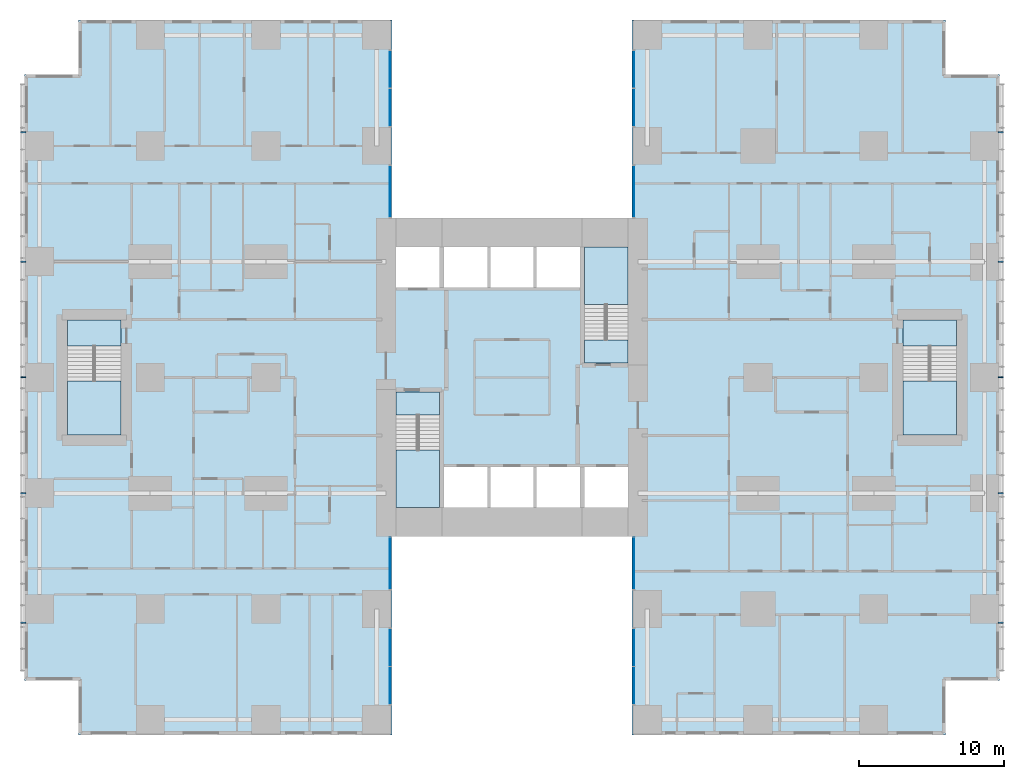
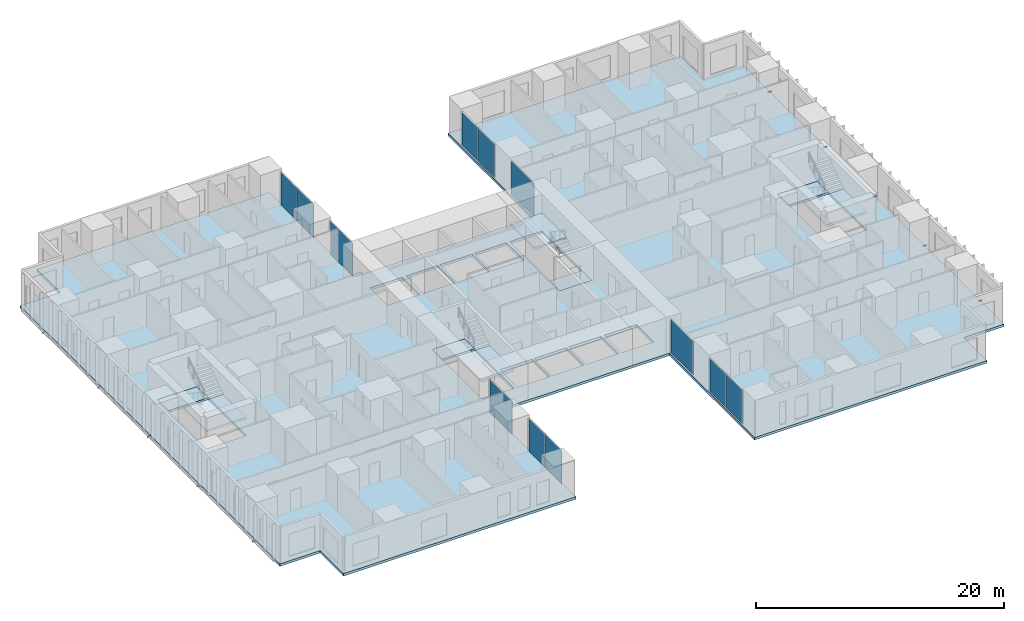
# One storey, part 7 of 20: 12 plates, 10 members, 9 slabs, 12 elements without a shape of their own.
"""IFC4 building model written with IfcOpenShell, lengths in metres."""

from ifc_helpers import new_model, si_unit, direction, frame, origin, origin_2d, place, context, subcontext, project, spatial, polyline, rectangle, hollow_rectangle, outline, extrude, material, layer, layer_set, material_profile, profile_set, type_object, element, aggregate, save


model = new_model("IFC4")

# Units and contexts
model_context = context("Model", 3, precision=1e-05, world=origin(), true_north=direction((0.0, 1.0)))
body_context = subcontext(model_context, "Body", "Model", "MODEL_VIEW")
ifc_project = project(units=[si_unit("LENGTHUNIT", "METRE"), si_unit("AREAUNIT", "SQUARE_METRE"), si_unit("VOLUMEUNIT", "CUBIC_METRE"), si_unit("PLANEANGLEUNIT", "RADIAN"), si_unit("MASSUNIT", "GRAM", prefix="KILO")], contexts=[model_context])

# Site, building, storey
site_placement = place(None, origin())
site = spatial("IfcSite", under=ifc_project, at=site_placement, CompositionType="ELEMENT")
building_placement = place(site_placement, origin())
building = spatial("IfcBuilding", under=site, at=building_placement, Name="Cleftline Residences", CompositionType="ELEMENT")
storey_placement = place(building_placement, frame((0.0, 0.0, 99.800048828125)))
storey = spatial("IfcBuildingStorey", under=building, at=storey_placement, Name="L25", CompositionType="ELEMENT", Elevation=99.800048828125)

# Members
ifc_material_1 = material(Name="Steel S355, hot-dip galvanised", Category="steel")
ifc_material_profile = material_profile(ifc_material_1, hollow_rectangle(XDim=0.10009765625, YDim=0.10009765625, WallThickness=0.008056640625, InnerFilletRadius=0.008056640625, OuterFilletRadius=0.011962890625, at=origin_2d()))
ifc_profile_set = profile_set([ifc_material_profile], Name="Steel S355, hot-dip galvanised")
member_type = type_object("IfcMemberType", Name="BAGUETTE BRACKET SHS 100X100X8", PredefinedType="USERDEFINED", material=ifc_profile_set)
for number, where, z_axis, x_axis, name in (
    (1, (66.60009765625, 7.050048828125, -0.150146484375), (1.0, 0.0, 0.0), (0.0, 1.0, 0.0), "Baguette bracket"),
    (2, (66.60009765625, 16.0, -0.150146484375), (1.0, 0.0, 0.0), (0.0, 1.0, 0.0), "Baguette bracket"),
    (3, (66.60009765625, 24.0, -0.150146484375), (1.0, 0.0, 0.0), (0.0, 1.0, 0.0), "Baguette bracket"),
    (4, (66.60009765625, 32.0, -0.150146484375), (1.0, 0.0, 0.0), (0.0, 1.0, 0.0), "Baguette bracket"),
    (5, (66.60009765625, 40.949951171875, -0.150146484375), (1.0, 0.0, 0.0), (0.0, 1.0, 0.0), "Baguette bracket"),
    (6, (-0.60009765625, 40.949951171875, -0.150146484375), (-1.0, 0.0, 0.0), (0.0, -1.0, 0.0), "Baguette bracket"),
    (7, (-0.60009765625, 32.0, -0.150146484375), (-1.0, 0.0, 0.0), (0.0, -1.0, 0.0), "Baguette bracket"),
    (8, (-0.60009765625, 24.0, -0.150146484375), (-1.0, 0.0, 0.0), (0.0, -1.0, 0.0), "Baguette bracket"),
    (9, (-0.60009765625, 16.0, -0.150146484375), (-1.0, 0.0, 0.0), (0.0, -1.0, 0.0), "Baguette bracket"),
    (10, (-0.60009765625, 7.050048828125, -0.150146484375), (-1.0, 0.0, 0.0), (0.0, -1.0, 0.0), "Baguette bracket"),
):
    element("IfcMember", number, at=place(storey_placement, frame(where, z_axis=z_axis, x_axis=x_axis)), inside=storey, type_object=member_type, Name=name, ObjectType="BAGUETTE BRACKET", PredefinedType="USERDEFINED", context=body_context, shape_type="SweptSolid", body=[
        extrude(hollow_rectangle(XDim=0.10009765625, YDim=0.10009765625, WallThickness=0.008056640625, InnerFilletRadius=0.008056640625, OuterFilletRadius=0.011962890625, at=origin_2d()), origin(), (0.0, 0.0, 1.0), 0.349853515625),
    ])

# Curtain wall, plates
ifc_material_2 = material(Name="Aluminium framed curtain wall", Category="aluminium")
ifc_layer_1 = layer(ifc_material_2, 0.199951171875)
ifc_layer_set_1 = layer_set([ifc_layer_1], Name="CW1 CLEFT GLAZING")
curtain_wall_type = type_object("IfcCurtainWallType", Name="CW1 CLEFT GLAZING", PredefinedType="NOTDEFINED", material=ifc_layer_set_1)
curtain_wall_1_placement = place(storey_placement, origin())
curtain_wall_1 = element("IfcCurtainWall", 11, at=curtain_wall_1_placement, inside=storey, type_object=curtain_wall_type, Name="Curtain wall CW1", PredefinedType="NOTDEFINED")
ifc_material_3 = material(Name="Laminated clear glass", Category="glass")
ifc_layer_2 = layer(ifc_material_3, 0.028076171875)
ifc_layer_set_2 = layer_set([ifc_layer_2], Name="CW1 GLASS PANEL")
plate_type = type_object("IfcPlateType", Name="CW1 GLASS PANEL", PredefinedType="CURTAIN_PANEL", material=ifc_layer_set_2)
plate_1_placement = place(storey_placement, frame((24.574951171875, 2.702392578125, 0.06005859375), z_axis=(0.0, 0.0, 1.0), x_axis=(0.0, 1.0, 0.0)))
plate_1 = element("IfcPlate", 12, at=plate_1_placement, type_object=plate_type, Name="CW1 panel 1.1", PredefinedType="CURTAIN_PANEL", context=body_context, shape_type="SweptSolid", body=[
    extrude(rectangle(XDim=2.5849609375, YDim=0.028076171875, at=origin_2d()), origin(), (0.0, 0.0, 1.0), 3.22998046875),
])
plate_2_placement = place(storey_placement, frame((24.574951171875, 5.347412109375, 0.06005859375), z_axis=(0.0, 0.0, 1.0), x_axis=(0.0, 1.0, 0.0)))
plate_2 = element("IfcPlate", 13, at=plate_2_placement, type_object=plate_type, Name="CW1 panel 2.1", PredefinedType="CURTAIN_PANEL", context=body_context, shape_type="SweptSolid", body=[
    extrude(rectangle(XDim=2.5849609375, YDim=0.028076171875, at=origin_2d()), origin(), (0.0, 0.0, 1.0), 3.22998046875),
])
aggregate(curtain_wall_1, [plate_1, plate_2])

# Curtain wall, plate
curtain_wall_2_placement = place(storey_placement, origin())
curtain_wall_2 = element("IfcCurtainWall", 14, at=curtain_wall_2_placement, inside=storey, type_object=curtain_wall_type, Name="Curtain wall CW1", PredefinedType="NOTDEFINED")
plate_3_placement = place(storey_placement, frame((24.574951171875, 11.14990234375, 0.06005859375), z_axis=(0.0, 0.0, 1.0), x_axis=(0.0, 1.0, 0.0)))
plate_3 = element("IfcPlate", 15, at=plate_3_placement, type_object=plate_type, Name="CW1 panel 1.1", PredefinedType="CURTAIN_PANEL", context=body_context, shape_type="SweptSolid", body=[
    extrude(rectangle(XDim=3.580078125, YDim=0.028076171875, at=origin_2d()), origin(), (0.0, 0.0, 1.0), 3.22998046875),
])
aggregate(curtain_wall_2, [plate_3])

curtain_wall_3_placement = place(storey_placement, origin())
curtain_wall_3 = element("IfcCurtainWall", 16, at=curtain_wall_3_placement, inside=storey, type_object=curtain_wall_type, Name="Curtain wall CW1", PredefinedType="NOTDEFINED")
plate_4_placement = place(storey_placement, frame((41.425048828125, 11.14990234375, 0.06005859375), z_axis=(0.0, 0.0, 1.0), x_axis=(0.0, -1.0, 0.0)))
plate_4 = element("IfcPlate", 17, at=plate_4_placement, type_object=plate_type, Name="CW1 panel 1.1", PredefinedType="CURTAIN_PANEL", context=body_context, shape_type="SweptSolid", body=[
    extrude(rectangle(XDim=3.580078125, YDim=0.028076171875, at=origin_2d()), origin(), (0.0, 0.0, 1.0), 3.22998046875),
])
aggregate(curtain_wall_3, [plate_4])

# Curtain wall, plates
curtain_wall_4_placement = place(storey_placement, origin())
curtain_wall_4 = element("IfcCurtainWall", 18, at=curtain_wall_4_placement, inside=storey, type_object=curtain_wall_type, Name="Curtain wall CW1", PredefinedType="NOTDEFINED")
plate_5_placement = place(storey_placement, frame((41.425048828125, 5.347412109375, 0.06005859375), z_axis=(0.0, 0.0, 1.0), x_axis=(0.0, -1.0, 0.0)))
plate_5 = element("IfcPlate", 19, at=plate_5_placement, type_object=plate_type, Name="CW1 panel 1.1", PredefinedType="CURTAIN_PANEL", context=body_context, shape_type="SweptSolid", body=[
    extrude(rectangle(XDim=2.5849609375, YDim=0.028076171875, at=origin_2d()), origin(), (0.0, 0.0, 1.0), 3.22998046875),
])
plate_6_placement = place(storey_placement, frame((41.425048828125, 2.702392578125, 0.06005859375), z_axis=(0.0, 0.0, 1.0), x_axis=(0.0, -1.0, 0.0)))
plate_6 = element("IfcPlate", 20, at=plate_6_placement, type_object=plate_type, Name="CW1 panel 2.1", PredefinedType="CURTAIN_PANEL", context=body_context, shape_type="SweptSolid", body=[
    extrude(rectangle(XDim=2.5849609375, YDim=0.028076171875, at=origin_2d()), origin(), (0.0, 0.0, 1.0), 3.22998046875),
])
aggregate(curtain_wall_4, [plate_5, plate_6])

curtain_wall_5_placement = place(storey_placement, origin())
curtain_wall_5 = element("IfcCurtainWall", 21, at=curtain_wall_5_placement, inside=storey, type_object=curtain_wall_type, Name="Curtain wall CW1", PredefinedType="NOTDEFINED")
plate_7_placement = place(storey_placement, frame((41.425048828125, 45.297607421875, 0.06005859375), z_axis=(0.0, 0.0, 1.0), x_axis=(0.0, -1.0, 0.0)))
plate_7 = element("IfcPlate", 22, at=plate_7_placement, type_object=plate_type, Name="CW1 panel 1.1", PredefinedType="CURTAIN_PANEL", context=body_context, shape_type="SweptSolid", body=[
    extrude(rectangle(XDim=2.5849609375, YDim=0.028076171875, at=origin_2d()), origin(), (0.0, 0.0, 1.0), 3.22998046875),
])
plate_8_placement = place(storey_placement, frame((41.425048828125, 42.652587890625, 0.06005859375), z_axis=(0.0, 0.0, 1.0), x_axis=(0.0, -1.0, 0.0)))
plate_8 = element("IfcPlate", 23, at=plate_8_placement, type_object=plate_type, Name="CW1 panel 2.1", PredefinedType="CURTAIN_PANEL", context=body_context, shape_type="SweptSolid", body=[
    extrude(rectangle(XDim=2.5849609375, YDim=0.028076171875, at=origin_2d()), origin(), (0.0, 0.0, 1.0), 3.22998046875),
])
aggregate(curtain_wall_5, [plate_7, plate_8])

# Curtain wall, plate
curtain_wall_6_placement = place(storey_placement, origin())
curtain_wall_6 = element("IfcCurtainWall", 24, at=curtain_wall_6_placement, inside=storey, type_object=curtain_wall_type, Name="Curtain wall CW1", PredefinedType="NOTDEFINED")
plate_9_placement = place(storey_placement, frame((41.425048828125, 36.85009765625, 0.06005859375), z_axis=(0.0, 0.0, 1.0), x_axis=(0.0, -1.0, 0.0)))
plate_9 = element("IfcPlate", 25, at=plate_9_placement, type_object=plate_type, Name="CW1 panel 1.1", PredefinedType="CURTAIN_PANEL", context=body_context, shape_type="SweptSolid", body=[
    extrude(rectangle(XDim=3.580078125, YDim=0.028076171875, at=origin_2d()), origin(), (0.0, 0.0, 1.0), 3.22998046875),
])
aggregate(curtain_wall_6, [plate_9])

curtain_wall_7_placement = place(storey_placement, origin())
curtain_wall_7 = element("IfcCurtainWall", 26, at=curtain_wall_7_placement, inside=storey, type_object=curtain_wall_type, Name="Curtain wall CW1", PredefinedType="NOTDEFINED")
plate_10_placement = place(storey_placement, frame((24.574951171875, 36.85009765625, 0.06005859375), z_axis=(0.0, 0.0, 1.0), x_axis=(0.0, 1.0, 0.0)))
plate_10 = element("IfcPlate", 27, at=plate_10_placement, type_object=plate_type, Name="CW1 panel 1.1", PredefinedType="CURTAIN_PANEL", context=body_context, shape_type="SweptSolid", body=[
    extrude(rectangle(XDim=3.580078125, YDim=0.028076171875, at=origin_2d()), origin(), (0.0, 0.0, 1.0), 3.22998046875),
])
aggregate(curtain_wall_7, [plate_10])

# Curtain wall, plates
curtain_wall_8_placement = place(storey_placement, origin())
curtain_wall_8 = element("IfcCurtainWall", 28, at=curtain_wall_8_placement, inside=storey, type_object=curtain_wall_type, Name="Curtain wall CW1", PredefinedType="NOTDEFINED")
plate_11_placement = place(storey_placement, frame((24.574951171875, 42.652587890625, 0.06005859375), z_axis=(0.0, 0.0, 1.0), x_axis=(0.0, 1.0, 0.0)))
plate_11 = element("IfcPlate", 29, at=plate_11_placement, type_object=plate_type, Name="CW1 panel 1.1", PredefinedType="CURTAIN_PANEL", context=body_context, shape_type="SweptSolid", body=[
    extrude(rectangle(XDim=2.5849609375, YDim=0.028076171875, at=origin_2d()), origin(), (0.0, 0.0, 1.0), 3.22998046875),
])
plate_12_placement = place(storey_placement, frame((24.574951171875, 45.297607421875, 0.06005859375), z_axis=(0.0, 0.0, 1.0), x_axis=(0.0, 1.0, 0.0)))
plate_12 = element("IfcPlate", 30, at=plate_12_placement, type_object=plate_type, Name="CW1 panel 2.1", PredefinedType="CURTAIN_PANEL", context=body_context, shape_type="SweptSolid", body=[
    extrude(rectangle(XDim=2.5849609375, YDim=0.028076171875, at=origin_2d()), origin(), (0.0, 0.0, 1.0), 3.22998046875),
])
aggregate(curtain_wall_8, [plate_11, plate_12])

# Slab
ifc_material_4 = material(Name="Concrete B45", Category="concrete")
ifc_layer_3 = layer(ifc_material_4, 0.25)
ifc_layer_set_3 = layer_set([ifc_layer_3], Name="FLOOR SLAB 250")
slab_type_1 = type_object("IfcSlabType", Name="FLOOR SLAB 250", PredefinedType="FLOOR", material=ifc_layer_set_3)
slab_1_placement = place(storey_placement, frame((0.0, 0.0, -0.25)))
element("IfcSlab", 31, at=slab_1_placement, inside=storey, type_object=slab_type_1, Name="Floor slab L25", PredefinedType="FLOOR", context=body_context, shape_type="SweptSolid", body=[
    extrude(outline(polyline([(24.699951171875, 13.0), (41.300048828125, 13.0), (41.300048828125, -0.699951171875), (62.949951171875, -0.699951171875), (62.949951171875, 3.050048828125), (66.699951171875, 3.050048828125), (66.699951171875, 44.949951171875), (62.949951171875, 44.949951171875), (62.949951171875, 48.699951171875), (41.300048828125, 48.699951171875), (41.300048828125, 35.0), (24.699951171875, 35.0), (24.699951171875, 48.699951171875), (3.050048828125, 48.699951171875), (3.050048828125, 44.949951171875), (-0.699951171875, 44.949951171875), (-0.699951171875, 3.050048828125), (3.050048828125, 3.050048828125), (3.050048828125, -0.699951171875), (24.699951171875, -0.699951171875), (24.699951171875, 13.0)]), holes=[polyline([(28.0, 15.0), (28.0, 23.0), (25.0, 23.0), (25.0, 15.0), (28.0, 15.0)]), polyline([(41.0, 25.0), (41.0, 33.0), (38.0, 33.0), (38.0, 25.0), (41.0, 25.0)]), polyline([(28.0, 30.199951171875), (28.0, 33.0), (25.0, 33.0), (25.0, 30.199951171875), (28.0, 30.199951171875)]), polyline([(41.0, 15.0), (41.0, 17.800048828125), (38.0, 17.800048828125), (38.0, 15.0), (41.0, 15.0)]), polyline([(31.300048828125, 15.0), (31.300048828125, 17.800048828125), (28.300048828125, 17.800048828125), (28.300048828125, 15.0), (31.300048828125, 15.0)]), polyline([(34.5, 15.0), (34.5, 17.800048828125), (31.5, 17.800048828125), (31.5, 15.0), (34.5, 15.0)]), polyline([(37.699951171875, 15.0), (37.699951171875, 17.800048828125), (34.699951171875, 17.800048828125), (34.699951171875, 15.0), (37.699951171875, 15.0)]), polyline([(31.300048828125, 30.199951171875), (31.300048828125, 33.0), (28.300048828125, 33.0), (28.300048828125, 30.199951171875), (31.300048828125, 30.199951171875)]), polyline([(34.5, 30.199951171875), (34.5, 33.0), (31.5, 33.0), (31.5, 30.199951171875), (34.5, 30.199951171875)]), polyline([(37.699951171875, 30.199951171875), (37.699951171875, 33.0), (34.699951171875, 33.0), (34.699951171875, 30.199951171875), (37.699951171875, 30.199951171875)]), polyline([(63.72509765625, 20.02490234375), (63.72509765625, 27.97509765625), (60.02490234375, 27.97509765625), (60.02490234375, 20.02490234375), (63.72509765625, 20.02490234375)]), polyline([(5.97509765625, 20.02490234375), (5.97509765625, 27.97509765625), (2.27490234375, 27.97509765625), (2.27490234375, 20.02490234375), (5.97509765625, 20.02490234375)])]), origin(), (0.0, 0.0, 1.0), 0.25),
])

# Stair, slabs
ifc_material_5 = material(Name="Concrete B45, stone treads", Category="masonry")
stair_type_1 = type_object("IfcStairType", Name="STAIR A 1450 WIDE 180 RISER", PredefinedType="HALF_TURN_STAIR", material=ifc_material_5)
stair_1_placement = place(storey_placement, origin())
stair_1 = element("IfcStair", 32, at=stair_1_placement, inside=storey, type_object=stair_type_1, Name="Stair A L25", PredefinedType="HALF_TURN_STAIR")
ifc_material_6 = material(Name="Concrete B45", Category="concrete")
ifc_layer_4 = layer(ifc_material_6, 0.199951171875)
ifc_layer_set_4 = layer_set([ifc_layer_4], Name="STAIR LANDING 200")
slab_type_2 = type_object("IfcSlabType", Name="STAIR LANDING 200", PredefinedType="LANDING", material=ifc_layer_set_4)
slab_2_placement = place(storey_placement, frame((0.0, 0.0, -0.199951171875)))
slab_2 = element("IfcSlab", 33, at=slab_2_placement, type_object=slab_type_2, Name="ST-A landing 1", PredefinedType="LANDING", context=body_context, shape_type="SweptSolid", body=[
    extrude(outline(polyline([(25.0, 21.39990234375), (28.0, 21.39990234375), (28.0, 23.0), (25.0, 23.0), (25.0, 21.39990234375)])), origin(), (0.0, 0.0, 1.0), 0.199951171875),
])
slab_3_placement = place(storey_placement, frame((0.0, 0.0, 1.599853515625)))
slab_3 = element("IfcSlab", 34, at=slab_3_placement, type_object=slab_type_2, Name="ST-A landing 2", PredefinedType="LANDING", context=body_context, shape_type="SweptSolid", body=[
    extrude(outline(polyline([(25.0, 15.0), (28.0, 15.0), (28.0, 18.969970703125), (25.0, 18.969970703125), (25.0, 15.0)])), origin(), (0.0, 0.0, 1.0), 0.2001953125),
])
aggregate(stair_1, [slab_2, slab_3])

ifc_material_7 = material(Name="Concrete B45, stone treads", Category="masonry")
stair_type_2 = type_object("IfcStairType", Name="STAIR B 1450 WIDE 180 RISER", PredefinedType="HALF_TURN_STAIR", material=ifc_material_7)
stair_2_placement = place(storey_placement, origin())
stair_2 = element("IfcStair", 35, at=stair_2_placement, inside=storey, type_object=stair_type_2, Name="Stair B L25", PredefinedType="HALF_TURN_STAIR")
slab_4_placement = place(storey_placement, frame((0.0, 0.0, -0.199951171875)))
slab_4 = element("IfcSlab", 36, at=slab_4_placement, type_object=slab_type_2, Name="ST-B landing 1", PredefinedType="LANDING", context=body_context, shape_type="SweptSolid", body=[
    extrude(outline(polyline([(38.0, 25.0), (41.0, 25.0), (41.0, 26.60009765625), (38.0, 26.60009765625), (38.0, 25.0)])), origin(), (0.0, 0.0, 1.0), 0.199951171875),
])
slab_5_placement = place(storey_placement, frame((0.0, 0.0, 1.599853515625)))
slab_5 = element("IfcSlab", 37, at=slab_5_placement, type_object=slab_type_2, Name="ST-B landing 2", PredefinedType="LANDING", context=body_context, shape_type="SweptSolid", body=[
    extrude(outline(polyline([(38.0, 29.030029296875), (41.0, 29.030029296875), (41.0, 33.0), (38.0, 33.0), (38.0, 29.030029296875)])), origin(), (0.0, 0.0, 1.0), 0.2001953125),
])
aggregate(stair_2, [slab_4, slab_5])

ifc_material_8 = material(Name="Concrete B45, stone treads", Category="masonry")
stair_type_3 = type_object("IfcStairType", Name="STAIR E 1800 WIDE 180 RISER", PredefinedType="HALF_TURN_STAIR", material=ifc_material_8)
stair_3_placement = place(storey_placement, origin())
stair_3 = element("IfcStair", 38, at=stair_3_placement, inside=storey, type_object=stair_type_3, Name="Stair E L25", PredefinedType="HALF_TURN_STAIR")
slab_6_placement = place(storey_placement, frame((0.0, 0.0, -0.199951171875)))
slab_6 = element("IfcSlab", 39, at=slab_6_placement, type_object=slab_type_2, Name="ST-E landing 1", PredefinedType="LANDING", context=body_context, shape_type="SweptSolid", body=[
    extrude(outline(polyline([(60.02490234375, 26.175048828125), (63.72509765625, 26.175048828125), (63.72509765625, 27.97509765625), (60.02490234375, 27.97509765625), (60.02490234375, 26.175048828125)])), origin(), (0.0, 0.0, 1.0), 0.199951171875),
])
slab_7_placement = place(storey_placement, frame((0.0, 0.0, 1.599853515625)))
slab_7 = element("IfcSlab", 40, at=slab_7_placement, type_object=slab_type_2, Name="ST-E landing 2", PredefinedType="LANDING", context=body_context, shape_type="SweptSolid", body=[
    extrude(outline(polyline([(60.02490234375, 20.02490234375), (63.72509765625, 20.02490234375), (63.72509765625, 23.7451171875), (60.02490234375, 23.7451171875), (60.02490234375, 20.02490234375)])), origin(), (0.0, 0.0, 1.0), 0.2001953125),
])
aggregate(stair_3, [slab_6, slab_7])

ifc_material_9 = material(Name="Concrete B45, stone treads", Category="masonry")
stair_type_4 = type_object("IfcStairType", Name="STAIR W 1800 WIDE 180 RISER", PredefinedType="HALF_TURN_STAIR", material=ifc_material_9)
stair_4_placement = place(storey_placement, origin())
stair_4 = element("IfcStair", 41, at=stair_4_placement, inside=storey, type_object=stair_type_4, Name="Stair W L25", PredefinedType="HALF_TURN_STAIR")
slab_8_placement = place(storey_placement, frame((0.0, 0.0, -0.199951171875)))
slab_8 = element("IfcSlab", 42, at=slab_8_placement, type_object=slab_type_2, Name="ST-W landing 1", PredefinedType="LANDING", context=body_context, shape_type="SweptSolid", body=[
    extrude(outline(polyline([(2.27490234375, 26.175048828125), (5.97509765625, 26.175048828125), (5.97509765625, 27.97509765625), (2.27490234375, 27.97509765625), (2.27490234375, 26.175048828125)])), origin(), (0.0, 0.0, 1.0), 0.199951171875),
])
slab_9_placement = place(storey_placement, frame((0.0, 0.0, 1.599853515625)))
slab_9 = element("IfcSlab", 43, at=slab_9_placement, type_object=slab_type_2, Name="ST-W landing 2", PredefinedType="LANDING", context=body_context, shape_type="SweptSolid", body=[
    extrude(outline(polyline([(2.27490234375, 20.02490234375), (5.97509765625, 20.02490234375), (5.97509765625, 23.7451171875), (2.27490234375, 23.7451171875), (2.27490234375, 20.02490234375)])), origin(), (0.0, 0.0, 1.0), 0.2001953125),
])
aggregate(stair_4, [slab_8, slab_9])

save(model, "model.ifc")
